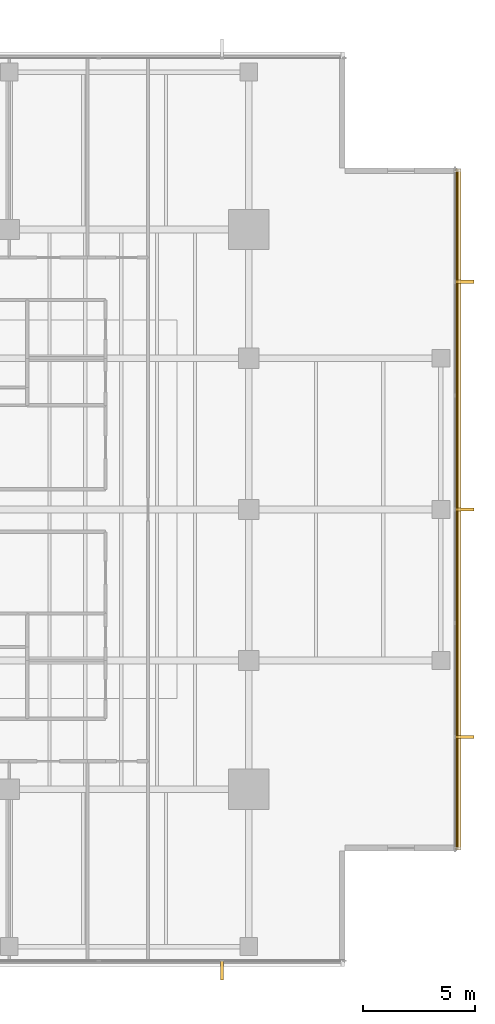
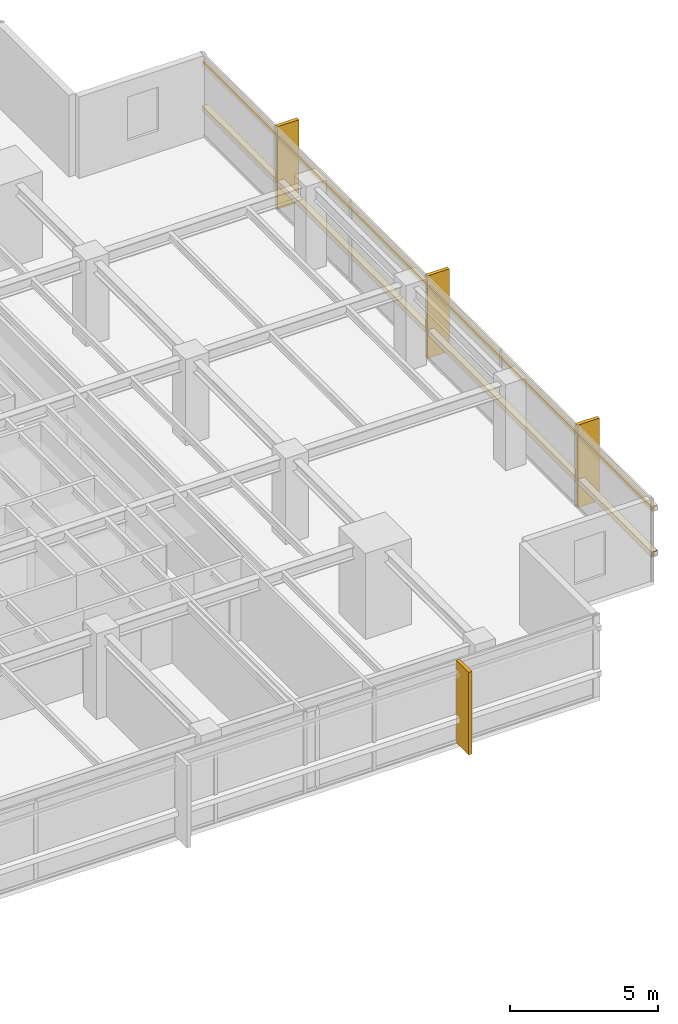
# One storey, part 14 of 15: 6 coverings, 2 shading devices.
"""IFC4 building model written with IfcOpenShell, lengths in metres."""

import ifcopenshell
import ifcopenshell.guid

model = None  # the IFC model being written
_history = None  # IfcOwnerHistory: only IFC2X3 demands one
_inside = {}  # id of a spatial element -> (the spatial element, [elements in it])
_under = {}  # id of a project, library or spatial element -> (it, [spatial elements below it])
_declared = {}  # id of a project -> (the project, [libraries it declares])
_typed = {}  # id of a type object -> (the type object, [elements of that type])
_made_of = {}  # id of a material, layer set ... -> (it, [elements and type objects made of it])


def new_model(schema):
    """Start an empty IFC model of exactly this schema.

    Asked for "IFC4X3", IfcOpenShell would pick the latest addendum, in which some entities
    have other attributes; the version numbers below select the first issue.
    IFC2X3 requires an IfcOwnerHistory on every rooted entity: one is made here for all.
    """
    global model, _history
    if schema == "IFC4X3":
        model = ifcopenshell.file(schema_version=(4, 3, 0, 0))
    else:
        model = ifcopenshell.file(schema=schema)
    _inside.clear()
    _under.clear()
    _declared.clear()
    _typed.clear()
    _made_of.clear()
    _history = None
    if model.schema == "IFC2X3":
        org = make("IfcOrganization", Name="unknown")
        user = make(
            "IfcPersonAndOrganization",
            ThePerson=make("IfcPerson", FamilyName="unknown"),
            TheOrganization=org,
        )
        app = make(
            "IfcApplication",
            ApplicationDeveloper=org,
            Version="unknown",
            ApplicationFullName="unknown",
            ApplicationIdentifier="unknown",
        )
        _history = make(
            "IfcOwnerHistory",
            OwningUser=user,
            OwningApplication=app,
            ChangeAction="ADDED",
            CreationDate=0,
        )
    return model


def make(cls, **values):
    """One entity of the class cls with the attributes given. An attribute that is None is left unset."""
    return model.create_entity(
        cls, **{name: value for name, value in values.items() if value is not None}
    )


def rooted(cls, **values):
    """An entity with a GlobalId (a new one), such as an element, a storey or a relation."""
    return make(cls, GlobalId=ifcopenshell.guid.new(), OwnerHistory=_history, **values)


def si_unit(unit_type, name, prefix=None):
    """IfcSIUnit, for example si_unit("LENGTHUNIT", "METRE", prefix="MILLI")."""
    return make("IfcSIUnit", UnitType=unit_type, Prefix=prefix, Name=name)


def assignment(units):
    """IfcUnitAssignment: the units of a project."""
    return None if units is None else make("IfcUnitAssignment", Units=units)


def point(xyz):
    """IfcCartesianPoint."""
    return None if xyz is None else make("IfcCartesianPoint", Coordinates=xyz)


def direction(xyz):
    """IfcDirection."""
    return None if xyz is None else make("IfcDirection", DirectionRatios=xyz)


def frame(location, z_axis=None, x_axis=None):
    """IfcAxis2Placement3D, a coordinate frame: its origin and axes. An axis left out is left unset."""
    return make(
        "IfcAxis2Placement3D",
        Location=point(location),
        Axis=direction(z_axis),
        RefDirection=direction(x_axis),
    )


def frame_2d(location, x_axis=None):
    """IfcAxis2Placement2D, a coordinate frame in the plane: its origin and x axis."""
    return make(
        "IfcAxis2Placement2D", Location=point(location), RefDirection=direction(x_axis)
    )


def origin():
    """The frame at (0, 0, 0) with its axes left unset."""
    return frame((0.0, 0.0, 0.0))


def origin_2d():
    """The frame at (0, 0) in the plane with its x axis left unset."""
    return frame_2d((0.0, 0.0))


def place(relative_to, where):
    """IfcLocalPlacement: puts the frame where relative to a parent placement (None: the world)."""
    return make(
        "IfcLocalPlacement", PlacementRelTo=relative_to, RelativePlacement=where
    )


def context(
    kind, dimensions, precision=None, world=None, true_north=None, identifier=None
):
    """IfcGeometricRepresentationContext, for example the 3D "Model" context."""
    return make(
        "IfcGeometricRepresentationContext",
        ContextIdentifier=identifier,
        ContextType=kind,
        CoordinateSpaceDimension=dimensions,
        Precision=precision,
        WorldCoordinateSystem=world,
        TrueNorth=true_north,
    )


def subcontext(parent, identifier, kind, view, scale=None):
    """IfcGeometricRepresentationSubContext, for example "Body" below "Model"."""
    return make(
        "IfcGeometricRepresentationSubContext",
        ContextIdentifier=identifier,
        ContextType=kind,
        ParentContext=parent,
        TargetScale=scale,
        TargetView=view,
    )


def project(units=None, contexts=None):
    """IfcProject with its units and contexts."""
    return rooted(
        "IfcProject",
        Name="project",
        RepresentationContexts=contexts,
        UnitsInContext=assignment(units),
    )


def spatial(cls, under=None, at=None, **own):
    """A site, building, storey or space (cls), placed at a placement, below another one or the project."""
    s = rooted(cls, ObjectPlacement=at, **own)
    if under is not None:
        _under.setdefault(under.id(), (under, []))[1].append(s)
    return s


def polyline(points):
    """IfcPolyline through the points."""
    return make("IfcPolyline", Points=[point(p) for p in points])


def profile(cls, at=None, kind="AREA", **sizes):
    """A parametric profile (cls). Its sizes go by their IFC names, for example OverallWidth=200.0."""
    return make(cls, ProfileType=kind, Position=at, **sizes)


def rectangle(**sizes):
    """IfcRectangleProfileDef."""
    return profile("IfcRectangleProfileDef", **sizes)


def outline(outer, holes=None, kind="AREA"):
    """IfcArbitraryClosedProfileDef: a profile drawn as a closed curve; with holes, ...WithVoids."""
    if holes is None:
        return make("IfcArbitraryClosedProfileDef", ProfileType=kind, OuterCurve=outer)
    return make(
        "IfcArbitraryProfileDefWithVoids",
        ProfileType=kind,
        OuterCurve=outer,
        InnerCurves=holes,
    )


def extrude(swept, where, along, depth):
    """IfcExtrudedAreaSolid: the profile swept, set in the frame where, extruded along a direction by depth."""
    return make(
        "IfcExtrudedAreaSolid",
        SweptArea=swept,
        Position=where,
        ExtrudedDirection=direction(along),
        Depth=depth,
    )


def shape(context_of_items, identifier, shape_type, items):
    """IfcShapeRepresentation: the items that make up one representation, for example the "Body"."""
    return make(
        "IfcShapeRepresentation",
        ContextOfItems=context_of_items,
        RepresentationIdentifier=identifier,
        RepresentationType=shape_type,
        Items=items,
    )


def material(Name=None, Category=None):
    """IfcMaterial."""
    return make("IfcMaterial", Name=Name, Category=Category)


def layer(
    of_material, thickness, ventilated=None, Name=None, Category=None, Priority=None
):
    """IfcMaterialLayer: one layer of a wall or slab, of a material (None: an air gap)."""
    return make(
        "IfcMaterialLayer",
        Material=of_material,
        LayerThickness=thickness,
        IsVentilated=ventilated,
        Name=Name,
        Category=Category,
        Priority=Priority,
    )


def layer_set(layers, Name=None):
    """IfcMaterialLayerSet."""
    return make("IfcMaterialLayerSet", MaterialLayers=layers, LayerSetName=Name)


def material_profile(
    of_material, cross_section, Name=None, Category=None, Priority=None
):
    """IfcMaterialProfile: a cross section and its material."""
    return make(
        "IfcMaterialProfile",
        Name=Name,
        Material=of_material,
        Profile=cross_section,
        Priority=Priority,
        Category=Category,
    )


def profile_set(profiles, Name=None, composite=None):
    """IfcMaterialProfileSet."""
    return make(
        "IfcMaterialProfileSet",
        Name=Name,
        MaterialProfiles=profiles,
        CompositeProfile=composite,
    )


def made_of(thing, what):
    """Note that an element or type object is made of a material, layer set ...; save() writes the relation."""
    if what is not None:
        _made_of.setdefault(what.id(), (what, []))[1].append(thing)
    return thing


def type_object(cls, material=None, **own):
    """A type object (cls), such as IfcWallType, which elements share."""
    return made_of(rooted(cls, **own), material)


def element(
    cls,
    number,
    at=None,
    inside=None,
    cuts=None,
    type_object=None,
    material=None,
    context=None,
    identifier="Body",
    shape_type=None,
    held_by="IfcProductDefinitionShape",
    body=None,
    shapes=None,
    **own,
):
    """One element of the class cls, such as IfcWall. Its Tag is "e" and its number.

    at: its placement. inside: the storey or other place that contains it. cuts: it is an
    opening in that element (IfcRelVoidsElement). A single representation is given by context,
    identifier, shape_type and body (its items); several are given by shapes. held_by: the class
    of the entity that holds the representations. save() writes the other relations.
    """
    e = rooted(cls, Tag="e%d" % number, ObjectPlacement=at, **own)
    if body is not None:
        shapes = [shape(context, identifier, shape_type, body)]
    if shapes is not None:
        e.Representation = make(held_by, Representations=shapes)
    if inside is not None:
        _inside.setdefault(inside.id(), (inside, []))[1].append(e)
    if cuts is not None:
        rooted(
            "IfcRelVoidsElement", RelatingBuildingElement=cuts, RelatedOpeningElement=e
        )
    if type_object is not None:
        _typed.setdefault(type_object.id(), (type_object, []))[1].append(e)
    return made_of(e, material)


def aggregate(whole, parts):
    """IfcRelAggregates: a whole, such as a stair, and the parts it consists of."""
    return rooted("IfcRelAggregates", RelatingObject=whole, RelatedObjects=parts)


def save(model, path):
    """Write the relations noted so far, then the file.

    IfcRelAggregates (storeys below a building ...), IfcRelContainedInSpatialStructure (elements
    in a storey), IfcRelDefinesByType, IfcRelAssociatesMaterial and IfcRelDeclares: one each for
    every whole, place, type object, material and project.
    """
    for whole, parts in _under.values():
        aggregate(whole, parts)
    for where, things in _inside.values():
        rooted(
            "IfcRelContainedInSpatialStructure",
            RelatedElements=things,
            RelatingStructure=where,
        )
    for kind, things in _typed.values():
        rooted("IfcRelDefinesByType", RelatedObjects=things, RelatingType=kind)
    for what, things in _made_of.values():
        rooted("IfcRelAssociatesMaterial", RelatedObjects=things, RelatingMaterial=what)
    for by, libraries in _declared.values():
        rooted("IfcRelDeclares", RelatingContext=by, RelatedDefinitions=libraries)
    model.write(path)


model = new_model("IFC4")

# Units and contexts
model_context = context("Model", 3, precision=1e-05, world=origin(), true_north=direction((0.0, 1.0)))
body_context = subcontext(model_context, "Body", "Model", "MODEL_VIEW")
ifc_project = project(units=[si_unit("LENGTHUNIT", "METRE"), si_unit("AREAUNIT", "SQUARE_METRE"), si_unit("VOLUMEUNIT", "CUBIC_METRE"), si_unit("PLANEANGLEUNIT", "RADIAN"), si_unit("MASSUNIT", "GRAM", prefix="KILO")], contexts=[model_context])

# Site, building, storey
site_placement = place(None, origin())
site = spatial("IfcSite", under=ifc_project, at=site_placement, CompositionType="ELEMENT")
building_placement = place(site_placement, origin())
building = spatial("IfcBuilding", under=site, at=building_placement, Name="Kinhvarn Gate Tower", CompositionType="ELEMENT")
storey_placement = place(building_placement, frame((0.0, 0.0, 220.0)))
storey = spatial("IfcBuildingStorey", under=building, at=storey_placement, Name="L58", CompositionType="ELEMENT", Elevation=220.0)

# Coverings
ifc_material = material(Name="Fired architectural terracotta", Category="masonry")
ifc_layer_1 = layer(ifc_material, 0.239990234375)
ifc_layer_set_1 = layer_set([ifc_layer_1], Name="Fired architectural terracotta")
covering_type_1 = type_object("IfcCoveringType", Name="COV-BAG-220", PredefinedType="CLADDING", material=ifc_layer_set_1)
for number, where, name in (
    (1, (0.0, 0.0, 0.93994140625), "Terracotta Horizontal Sunscreen Band TBG-220 (L58)"),
    (2, (0.0, 0.0, 2.81005859375), "Terracotta Horizontal Sunscreen Band TBG-220 (L58)"),
):
    element("IfcCovering", number, at=place(storey_placement, frame(where)), inside=storey, type_object=covering_type_1, Name=name, PredefinedType="CLADDING", context=body_context, shape_type="SweptSolid", body=[
        extrude(outline(polyline([(47.429931640625, 10.0400390625), (47.429931640625, 40.4599609375), (47.669921875, 40.4599609375), (47.669921875, 10.0400390625), (47.429931640625, 10.0400390625)])), origin(), (0.0, 0.0, 1.0), 0.219970703125),
    ])
ifc_layer_2 = layer(ifc_material, 0.139892578125)
ifc_layer_set_2 = layer_set([ifc_layer_2], Name="Fired architectural terracotta")
covering_type_2 = type_object("IfcCoveringType", Name="COV-FIN-850", PredefinedType="CLADDING", material=ifc_layer_set_2)
covering_1_placement = place(storey_placement, frame((0.0, 0.0, -0.02001953125)))
element("IfcCovering", 3, at=covering_1_placement, inside=storey, type_object=covering_type_2, Name="Vertical Terracotta Expressive Fin TFN-850 (L58)", PredefinedType="CLADDING", context=body_context, shape_type="SweptSolid", body=[
    extrude(outline(polyline([(36.929931640625, 5.080078125), (37.070068359375, 5.080078125), (37.070068359375, 4.22998046875), (36.929931640625, 4.22998046875), (36.929931640625, 5.080078125)])), origin(), (0.0, 0.0, 1.0), 3.409912109375),
])
covering_2_placement = place(storey_placement, frame((0.0, 0.0, -0.02001953125)))
element("IfcCovering", 4, at=covering_2_placement, inside=storey, type_object=covering_type_2, Name="Vertical Terracotta Expressive Fin TFN-850 (L58)", PredefinedType="CLADDING", context=body_context, shape_type="SweptSolid", body=[
    extrude(outline(polyline([(47.419921875, 15.01318359375), (47.419921875, 15.1533203125), (48.27001953125, 15.1533203125), (48.27001953125, 15.01318359375), (47.419921875, 15.01318359375)])), origin(), (0.0, 0.0, 1.0), 3.409912109375),
])
covering_3_placement = place(storey_placement, frame((0.0, 0.0, -0.02001953125)))
element("IfcCovering", 5, at=covering_3_placement, inside=storey, type_object=covering_type_2, Name="Vertical Terracotta Expressive Fin TFN-850 (L58)", PredefinedType="CLADDING", context=body_context, shape_type="SweptSolid", body=[
    extrude(outline(polyline([(47.419921875, 25.179931640625), (47.419921875, 25.320068359375), (48.27001953125, 25.320068359375), (48.27001953125, 25.179931640625), (47.419921875, 25.179931640625)])), origin(), (0.0, 0.0, 1.0), 3.409912109375),
])
covering_4_placement = place(storey_placement, frame((0.0, 0.0, -0.02001953125)))
element("IfcCovering", 6, at=covering_4_placement, inside=storey, type_object=covering_type_2, Name="Vertical Terracotta Expressive Fin TFN-850 (L58)", PredefinedType="CLADDING", context=body_context, shape_type="SweptSolid", body=[
    extrude(outline(polyline([(47.419921875, 35.3466796875), (47.419921875, 35.48681640625), (48.27001953125, 35.48681640625), (48.27001953125, 35.3466796875), (47.419921875, 35.3466796875)])), origin(), (0.0, 0.0, 1.0), 3.409912109375),
])

# Shading devices
ifc_material_profile = material_profile(ifc_material, rectangle(XDim=0.050048828125, YDim=0.1201171875, at=origin_2d()), Name="TC 50x120")
ifc_profile_set = profile_set([ifc_material_profile], Name="Fired architectural terracotta")
shading_device_type = type_object("IfcShadingDeviceType", Name="SHD-BAG-140", PredefinedType="USERDEFINED", material=ifc_profile_set)
for number, where, z_axis, x_axis, name in (
    (7, (47.5, 10.0400390625, 1.050048828125), (0.0, 1.0, 0.0), (-1.0, 0.0, 0.0), "Upper Tower Terracotta Baguette Screen Rod 50x120 mm (L58)"),
    (8, (47.5, 10.0400390625, 2.919921875), (0.0, 1.0, 0.0), (-1.0, 0.0, 0.0), "Upper Tower Terracotta Baguette Screen Rod 50x120 mm (L58)"),
):
    element("IfcShadingDevice", number, at=place(storey_placement, frame(where, z_axis=z_axis, x_axis=x_axis)), inside=storey, type_object=shading_device_type, Name=name, ObjectType="BAGUETTE", PredefinedType="USERDEFINED", context=body_context, shape_type="SweptSolid", body=[
        extrude(rectangle(XDim=0.050048828125, YDim=0.1201171875, at=origin_2d()), origin(), (0.0, 0.0, 1.0), 30.419921875),
    ])

save(model, "model.ifc")
